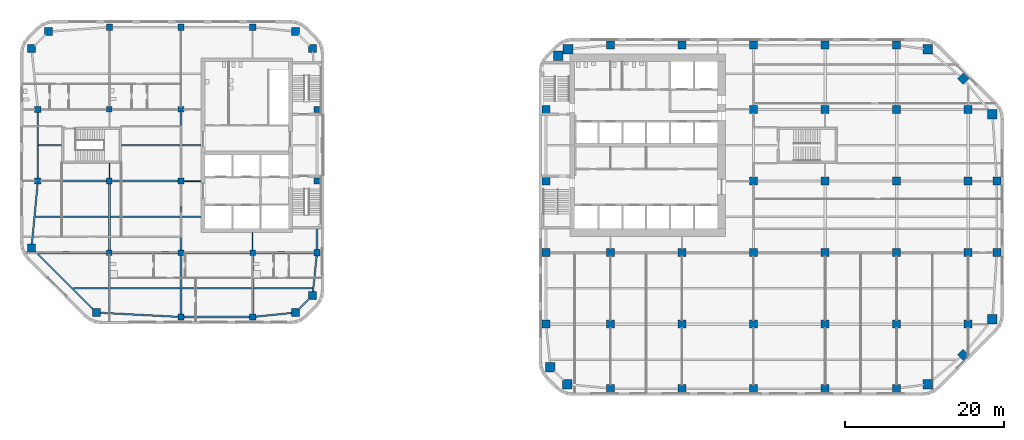
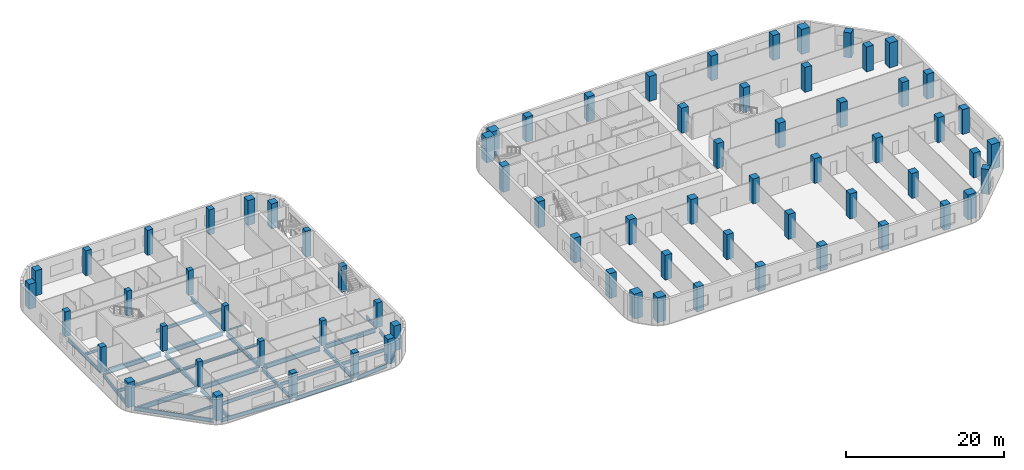
# One storey, part 1 of 15: 71 columns, 34 beams.
"""IFC4 building model written with IfcOpenShell, lengths in metres."""

import ifcopenshell
import ifcopenshell.guid

model = None  # the IFC model being written
_history = None  # IfcOwnerHistory: only IFC2X3 demands one
_inside = {}  # id of a spatial element -> (the spatial element, [elements in it])
_under = {}  # id of a project, library or spatial element -> (it, [spatial elements below it])
_declared = {}  # id of a project -> (the project, [libraries it declares])
_typed = {}  # id of a type object -> (the type object, [elements of that type])
_made_of = {}  # id of a material, layer set ... -> (it, [elements and type objects made of it])


def new_model(schema):
    """Start an empty IFC model of exactly this schema.

    Asked for "IFC4X3", IfcOpenShell would pick the latest addendum, in which some entities
    have other attributes; the version numbers below select the first issue.
    IFC2X3 requires an IfcOwnerHistory on every rooted entity: one is made here for all.
    """
    global model, _history
    if schema == "IFC4X3":
        model = ifcopenshell.file(schema_version=(4, 3, 0, 0))
    else:
        model = ifcopenshell.file(schema=schema)
    _inside.clear()
    _under.clear()
    _declared.clear()
    _typed.clear()
    _made_of.clear()
    _history = None
    if model.schema == "IFC2X3":
        org = make("IfcOrganization", Name="unknown")
        user = make(
            "IfcPersonAndOrganization",
            ThePerson=make("IfcPerson", FamilyName="unknown"),
            TheOrganization=org,
        )
        app = make(
            "IfcApplication",
            ApplicationDeveloper=org,
            Version="unknown",
            ApplicationFullName="unknown",
            ApplicationIdentifier="unknown",
        )
        _history = make(
            "IfcOwnerHistory",
            OwningUser=user,
            OwningApplication=app,
            ChangeAction="ADDED",
            CreationDate=0,
        )
    return model


def make(cls, **values):
    """One entity of the class cls with the attributes given. An attribute that is None is left unset."""
    return model.create_entity(
        cls, **{name: value for name, value in values.items() if value is not None}
    )


def rooted(cls, **values):
    """An entity with a GlobalId (a new one), such as an element, a storey or a relation."""
    return make(cls, GlobalId=ifcopenshell.guid.new(), OwnerHistory=_history, **values)


def si_unit(unit_type, name, prefix=None):
    """IfcSIUnit, for example si_unit("LENGTHUNIT", "METRE", prefix="MILLI")."""
    return make("IfcSIUnit", UnitType=unit_type, Prefix=prefix, Name=name)


def assignment(units):
    """IfcUnitAssignment: the units of a project."""
    return None if units is None else make("IfcUnitAssignment", Units=units)


def point(xyz):
    """IfcCartesianPoint."""
    return None if xyz is None else make("IfcCartesianPoint", Coordinates=xyz)


def direction(xyz):
    """IfcDirection."""
    return None if xyz is None else make("IfcDirection", DirectionRatios=xyz)


def frame(location, z_axis=None, x_axis=None):
    """IfcAxis2Placement3D, a coordinate frame: its origin and axes. An axis left out is left unset."""
    return make(
        "IfcAxis2Placement3D",
        Location=point(location),
        Axis=direction(z_axis),
        RefDirection=direction(x_axis),
    )


def frame_2d(location, x_axis=None):
    """IfcAxis2Placement2D, a coordinate frame in the plane: its origin and x axis."""
    return make(
        "IfcAxis2Placement2D", Location=point(location), RefDirection=direction(x_axis)
    )


def origin():
    """The frame at (0, 0, 0) with its axes left unset."""
    return frame((0.0, 0.0, 0.0))


def origin_2d():
    """The frame at (0, 0) in the plane with its x axis left unset."""
    return frame_2d((0.0, 0.0))


def place(relative_to, where):
    """IfcLocalPlacement: puts the frame where relative to a parent placement (None: the world)."""
    return make(
        "IfcLocalPlacement", PlacementRelTo=relative_to, RelativePlacement=where
    )


def context(
    kind, dimensions, precision=None, world=None, true_north=None, identifier=None
):
    """IfcGeometricRepresentationContext, for example the 3D "Model" context."""
    return make(
        "IfcGeometricRepresentationContext",
        ContextIdentifier=identifier,
        ContextType=kind,
        CoordinateSpaceDimension=dimensions,
        Precision=precision,
        WorldCoordinateSystem=world,
        TrueNorth=true_north,
    )


def subcontext(parent, identifier, kind, view, scale=None):
    """IfcGeometricRepresentationSubContext, for example "Body" below "Model"."""
    return make(
        "IfcGeometricRepresentationSubContext",
        ContextIdentifier=identifier,
        ContextType=kind,
        ParentContext=parent,
        TargetScale=scale,
        TargetView=view,
    )


def project(units=None, contexts=None):
    """IfcProject with its units and contexts."""
    return rooted(
        "IfcProject",
        Name="project",
        RepresentationContexts=contexts,
        UnitsInContext=assignment(units),
    )


def spatial(cls, under=None, at=None, **own):
    """A site, building, storey or space (cls), placed at a placement, below another one or the project."""
    s = rooted(cls, ObjectPlacement=at, **own)
    if under is not None:
        _under.setdefault(under.id(), (under, []))[1].append(s)
    return s


def profile(cls, at=None, kind="AREA", **sizes):
    """A parametric profile (cls). Its sizes go by their IFC names, for example OverallWidth=200.0."""
    return make(cls, ProfileType=kind, Position=at, **sizes)


def rectangle(**sizes):
    """IfcRectangleProfileDef."""
    return profile("IfcRectangleProfileDef", **sizes)


def i_section(**sizes):
    """IfcIShapeProfileDef."""
    return profile("IfcIShapeProfileDef", **sizes)


def extrude(swept, where, along, depth):
    """IfcExtrudedAreaSolid: the profile swept, set in the frame where, extruded along a direction by depth."""
    return make(
        "IfcExtrudedAreaSolid",
        SweptArea=swept,
        Position=where,
        ExtrudedDirection=direction(along),
        Depth=depth,
    )


def shape(context_of_items, identifier, shape_type, items):
    """IfcShapeRepresentation: the items that make up one representation, for example the "Body"."""
    return make(
        "IfcShapeRepresentation",
        ContextOfItems=context_of_items,
        RepresentationIdentifier=identifier,
        RepresentationType=shape_type,
        Items=items,
    )


def material(Name=None, Category=None):
    """IfcMaterial."""
    return make("IfcMaterial", Name=Name, Category=Category)


def material_profile(
    of_material, cross_section, Name=None, Category=None, Priority=None
):
    """IfcMaterialProfile: a cross section and its material."""
    return make(
        "IfcMaterialProfile",
        Name=Name,
        Material=of_material,
        Profile=cross_section,
        Priority=Priority,
        Category=Category,
    )


def profile_set(profiles, Name=None, composite=None):
    """IfcMaterialProfileSet."""
    return make(
        "IfcMaterialProfileSet",
        Name=Name,
        MaterialProfiles=profiles,
        CompositeProfile=composite,
    )


def made_of(thing, what):
    """Note that an element or type object is made of a material, layer set ...; save() writes the relation."""
    if what is not None:
        _made_of.setdefault(what.id(), (what, []))[1].append(thing)
    return thing


def type_object(cls, material=None, **own):
    """A type object (cls), such as IfcWallType, which elements share."""
    return made_of(rooted(cls, **own), material)


def element(
    cls,
    number,
    at=None,
    inside=None,
    cuts=None,
    type_object=None,
    material=None,
    context=None,
    identifier="Body",
    shape_type=None,
    held_by="IfcProductDefinitionShape",
    body=None,
    shapes=None,
    **own,
):
    """One element of the class cls, such as IfcWall. Its Tag is "e" and its number.

    at: its placement. inside: the storey or other place that contains it. cuts: it is an
    opening in that element (IfcRelVoidsElement). A single representation is given by context,
    identifier, shape_type and body (its items); several are given by shapes. held_by: the class
    of the entity that holds the representations. save() writes the other relations.
    """
    e = rooted(cls, Tag="e%d" % number, ObjectPlacement=at, **own)
    if body is not None:
        shapes = [shape(context, identifier, shape_type, body)]
    if shapes is not None:
        e.Representation = make(held_by, Representations=shapes)
    if inside is not None:
        _inside.setdefault(inside.id(), (inside, []))[1].append(e)
    if cuts is not None:
        rooted(
            "IfcRelVoidsElement", RelatingBuildingElement=cuts, RelatedOpeningElement=e
        )
    if type_object is not None:
        _typed.setdefault(type_object.id(), (type_object, []))[1].append(e)
    return made_of(e, material)


def aggregate(whole, parts):
    """IfcRelAggregates: a whole, such as a stair, and the parts it consists of."""
    return rooted("IfcRelAggregates", RelatingObject=whole, RelatedObjects=parts)


def save(model, path):
    """Write the relations noted so far, then the file.

    IfcRelAggregates (storeys below a building ...), IfcRelContainedInSpatialStructure (elements
    in a storey), IfcRelDefinesByType, IfcRelAssociatesMaterial and IfcRelDeclares: one each for
    every whole, place, type object, material and project.
    """
    for whole, parts in _under.values():
        aggregate(whole, parts)
    for where, things in _inside.values():
        rooted(
            "IfcRelContainedInSpatialStructure",
            RelatedElements=things,
            RelatingStructure=where,
        )
    for kind, things in _typed.values():
        rooted("IfcRelDefinesByType", RelatedObjects=things, RelatingType=kind)
    for what, things in _made_of.values():
        rooted("IfcRelAssociatesMaterial", RelatedObjects=things, RelatingMaterial=what)
    for by, libraries in _declared.values():
        rooted("IfcRelDeclares", RelatingContext=by, RelatedDefinitions=libraries)
    model.write(path)


model = new_model("IFC4")

# Units and contexts
model_context = context("Model", 3, precision=1e-05, world=origin(), true_north=direction((0.0, 1.0)))
body_context = subcontext(model_context, "Body", "Model", "MODEL_VIEW")
ifc_project = project(units=[si_unit("LENGTHUNIT", "METRE"), si_unit("AREAUNIT", "SQUARE_METRE"), si_unit("VOLUMEUNIT", "CUBIC_METRE"), si_unit("PLANEANGLEUNIT", "RADIAN"), si_unit("MASSUNIT", "GRAM", prefix="KILO")], contexts=[model_context])

# Site, building, storey
site_placement = place(None, origin())
site = spatial("IfcSite", under=ifc_project, at=site_placement, CompositionType="ELEMENT")
building_placement = place(site_placement, origin())
building = spatial("IfcBuilding", under=site, at=building_placement, Name="Cinnabar Reach Civic Tower", CompositionType="ELEMENT")
storey_placement = place(building_placement, frame((0.0, 0.0, 59.0)))
storey = spatial("IfcBuildingStorey", under=building, at=storey_placement, Name="L13", CompositionType="ELEMENT", Elevation=59.0)

# Columns
ifc_material_1 = material(Name="Concrete C70", Category="concrete")
ifc_material_profile_1 = material_profile(ifc_material_1, rectangle(XDim=1.0, YDim=1.0, at=origin_2d()), Name="RC1000")
ifc_profile_set_1 = profile_set([ifc_material_profile_1], Name="Concrete C70")
column_type_1 = type_object("IfcColumnType", Name="RC1000 column R 180", PredefinedType="COLUMN", material=ifc_profile_set_1)
for number, where, z_axis, x_axis, name in (
    (1, (-55.6481, 10.4531, 0.0), (0.0, 0.0, 1.0), (1.0, 0.0, 0.0), "Column T2-Z2-CC0"),
    (2, (-30.6019, 10.4531, 0.0), (0.0, 0.0, 1.0), (1.0, 0.0, 0.0), "Column T2-Z2-CC1"),
    (3, (-28.4531, 12.6019, 0.0), (0.0, 0.0, 1.0), (1.0, 0.0, 0.0), "Column T2-Z2-CC2"),
    (4, (-28.4531, 43.6481, 0.0), (0.0, 0.0, 1.0), (1.0, 0.0, 0.0), "Column T2-Z2-CC3"),
    (5, (-30.6019, 45.7969, 0.0), (0.0, 0.0, 1.0), (1.0, 0.0, 0.0), "Column T2-Z2-CC4"),
    (6, (-61.6481, 45.7969, 0.0), (0.0, 0.0, 1.0), (1.0, 0.0, 0.0), "Column T2-Z2-CC5"),
    (7, (-63.7969, 43.6481, 0.0), (0.0, 0.0, 1.0), (1.0, 0.0, 0.0), "Column T2-Z2-CC6"),
    (8, (-63.7969, 18.6019, 0.0), (0.0, 0.0, 1.0), (1.0, 0.0, 0.0), "Column T2-Z2-CC7"),
):
    element("IfcColumn", number, at=place(storey_placement, frame(where, z_axis=z_axis, x_axis=x_axis)), inside=storey, type_object=column_type_1, Name=name, PredefinedType="COLUMN", context=body_context, shape_type="SweptSolid", body=[
        extrude(rectangle(XDim=1.0, YDim=1.0, at=origin_2d()), origin(), (0.0, 0.0, 1.0), 3.85),
    ])
ifc_material_profile_2 = material_profile(ifc_material_1, rectangle(XDim=1.0, YDim=1.0, at=origin_2d()), Name="RC1000")
ifc_profile_set_2 = profile_set([ifc_material_profile_2], Name="Concrete C70")
column_type_2 = type_object("IfcColumnType", Name="RC1000 column R 240", PredefinedType="COLUMN", material=ifc_profile_set_2)
for number, where, z_axis, x_axis, name in (
    (9, (9.0, 0.9, 0.0), (0.0, 0.0, 1.0), (1.0, 0.0, 0.0), "Column T1-Z1-F0-1"),
    (10, (18.0, 0.9, 0.0), (0.0, 0.0, 1.0), (1.0, 0.0, 0.0), "Column T1-Z1-F0-2"),
    (11, (27.0, 0.9, 0.0), (0.0, 0.0, 1.0), (1.0, 0.0, 0.0), "Column T1-Z1-F0-3"),
    (12, (36.0, 0.9, 0.0), (0.0, 0.0, 1.0), (1.0, 0.0, 0.0), "Column T1-Z1-F0-4"),
    (13, (45.0, 0.9, 0.0), (0.0, 0.0, 1.0), (1.0, 0.0, 0.0), "Column T1-Z1-F0-5"),
    (14, (53.3636, 5.1364, 0.0), (0.0, 0.0, 1.0), (0.707106781187, 0.707106781187, 0.0), "Column T1-Z1-F1-M"),
    (15, (57.6, 18.0, 0.0), (0.0, 0.0, 1.0), (1.0, 0.0, 0.0), "Column T1-Z1-F2-2"),
    (16, (57.6, 27.0, 0.0), (0.0, 0.0, 1.0), (1.0, 0.0, 0.0), "Column T1-Z1-F2-3"),
    (17, (53.3636, 39.8636, 0.0), (0.0, 0.0, 1.0), (0.707106781187, 0.707106781187, 0.0), "Column T1-Z1-F3-M"),
    (18, (9.0, 44.1, 0.0), (0.0, 0.0, 1.0), (1.0, 0.0, 0.0), "Column T1-Z1-F4-1"),
    (19, (18.0, 44.1, 0.0), (0.0, 0.0, 1.0), (1.0, 0.0, 0.0), "Column T1-Z1-F4-2"),
    (20, (27.0, 44.1, 0.0), (0.0, 0.0, 1.0), (1.0, 0.0, 0.0), "Column T1-Z1-F4-3"),
    (21, (36.0, 44.1, 0.0), (0.0, 0.0, 1.0), (1.0, 0.0, 0.0), "Column T1-Z1-F4-4"),
    (22, (45.0, 44.1, 0.0), (0.0, 0.0, 1.0), (1.0, 0.0, 0.0), "Column T1-Z1-F4-5"),
    (23, (0.9, 9.0, 0.0), (0.0, 0.0, 1.0), (1.0, 0.0, 0.0), "Column T1-Z1-F6-1"),
    (24, (0.9, 18.0, 0.0), (0.0, 0.0, 1.0), (1.0, 0.0, 0.0), "Column T1-Z1-F6-2"),
):
    element("IfcColumn", number, at=place(storey_placement, frame(where, z_axis=z_axis, x_axis=x_axis)), inside=storey, type_object=column_type_2, Name=name, PredefinedType="COLUMN", context=body_context, shape_type="SweptSolid", body=[
        extrude(rectangle(XDim=1.0, YDim=1.0, at=origin_2d()), origin(), (0.0, 0.0, 1.0), 3.85),
    ])
for number, where, z_axis, x_axis, name in (
    (25, (0.9, 27.0, 0.0), (0.0, 0.0, 1.0), (1.0, 0.0, 0.0), "Column T1-Z1-F6-3"),
    (26, (0.9, 36.0, 0.0), (0.0, 0.0, 1.0), (1.0, 0.0, 0.0), "Column T1-Z1-F6-4"),
):
    element("IfcColumn", number, at=place(storey_placement, frame(where, z_axis=z_axis, x_axis=x_axis)), inside=storey, type_object=column_type_2, Name=name, PredefinedType="COLUMN", context=body_context, shape_type="SweptSolid", body=[
        extrude(rectangle(XDim=1.0, YDim=1.0, at=origin_2d()), origin(), (0.0, 0.0, 1.0), 4.0),
    ])
for number, where, z_axis, x_axis, name in (
    (27, (9.0, 9.0, 0.0), (0.0, 0.0, 1.0), (1.0, 0.0, 0.0), "Column T1-Z1-I9_9"),
    (28, (9.0, 18.0, 0.0), (0.0, 0.0, 1.0), (1.0, 0.0, 0.0), "Column T1-Z1-I9_18"),
    (29, (18.0, 9.0, 0.0), (0.0, 0.0, 1.0), (1.0, 0.0, 0.0), "Column T1-Z1-I18_9"),
    (30, (18.0, 18.0, 0.0), (0.0, 0.0, 1.0), (1.0, 0.0, 0.0), "Column T1-Z1-I18_18"),
    (31, (27.0, 9.0, 0.0), (0.0, 0.0, 1.0), (1.0, 0.0, 0.0), "Column T1-Z1-I27_9"),
    (32, (27.0, 18.0, 0.0), (0.0, 0.0, 1.0), (1.0, 0.0, 0.0), "Column T1-Z1-I27_18"),
    (33, (27.0, 27.0, 0.0), (0.0, 0.0, 1.0), (1.0, 0.0, 0.0), "Column T1-Z1-I27_27"),
    (34, (27.0, 36.0, 0.0), (0.0, 0.0, 1.0), (1.0, 0.0, 0.0), "Column T1-Z1-I27_36"),
    (35, (36.0, 9.0, 0.0), (0.0, 0.0, 1.0), (1.0, 0.0, 0.0), "Column T1-Z1-I36_9"),
    (36, (36.0, 18.0, 0.0), (0.0, 0.0, 1.0), (1.0, 0.0, 0.0), "Column T1-Z1-I36_18"),
    (37, (36.0, 27.0, 0.0), (0.0, 0.0, 1.0), (1.0, 0.0, 0.0), "Column T1-Z1-I36_27"),
    (38, (36.0, 36.0, 0.0), (0.0, 0.0, 1.0), (1.0, 0.0, 0.0), "Column T1-Z1-I36_36"),
    (39, (45.0, 9.0, 0.0), (0.0, 0.0, 1.0), (1.0, 0.0, 0.0), "Column T1-Z1-I45_9"),
    (40, (45.0, 18.0, 0.0), (0.0, 0.0, 1.0), (1.0, 0.0, 0.0), "Column T1-Z1-I45_18"),
    (41, (45.0, 27.0, 0.0), (0.0, 0.0, 1.0), (1.0, 0.0, 0.0), "Column T1-Z1-I45_27"),
    (42, (45.0, 36.0, 0.0), (0.0, 0.0, 1.0), (1.0, 0.0, 0.0), "Column T1-Z1-I45_36"),
    (43, (54.0, 9.0, 0.0), (0.0, 0.0, 1.0), (1.0, 0.0, 0.0), "Column T1-Z1-I54_9"),
    (44, (54.0, 18.0, 0.0), (0.0, 0.0, 1.0), (1.0, 0.0, 0.0), "Column T1-Z1-I54_18"),
    (45, (54.0, 27.0, 0.0), (0.0, 0.0, 1.0), (1.0, 0.0, 0.0), "Column T1-Z1-I54_27"),
    (46, (54.0, 36.0, 0.0), (0.0, 0.0, 1.0), (1.0, 0.0, 0.0), "Column T1-Z1-I54_36"),
):
    element("IfcColumn", number, at=place(storey_placement, frame(where, z_axis=z_axis, x_axis=x_axis)), inside=storey, type_object=column_type_2, Name=name, PredefinedType="COLUMN", context=body_context, shape_type="SweptSolid", body=[
        extrude(rectangle(XDim=1.0, YDim=1.0, at=origin_2d()), origin(), (0.0, 0.0, 1.0), 3.85),
    ])
ifc_material_2 = material(Name="Concrete C80", Category="concrete")
ifc_material_profile_3 = material_profile(ifc_material_2, rectangle(XDim=1.2, YDim=1.2, at=origin_2d()), Name="RC1200")
ifc_profile_set_3 = profile_set([ifc_material_profile_3], Name="Concrete C80")
column_type_3 = type_object("IfcColumnType", Name="RC1200 column R 240", PredefinedType="COLUMN", material=ifc_profile_set_3)
for number, where, z_axis, x_axis, name in (
    (47, (3.6019, 1.4531, 0.0), (0.0, 0.0, 1.0), (1.0, 0.0, 0.0), "Column T1-Z1-CC0"),
    (48, (48.8981, 1.4531, 0.0), (0.0, 0.0, 1.0), (1.0, 0.0, 0.0), "Column T1-Z1-CC1"),
    (49, (57.0469, 9.6019, 0.0), (0.0, 0.0, 1.0), (1.0, 0.0, 0.0), "Column T1-Z1-CC2"),
    (50, (57.0469, 35.3981, 0.0), (0.0, 0.0, 1.0), (1.0, 0.0, 0.0), "Column T1-Z1-CC3"),
    (51, (48.8981, 43.5469, 0.0), (0.0, 0.0, 1.0), (1.0, 0.0, 0.0), "Column T1-Z1-CC4"),
    (52, (3.6666, 43.5737, 0.0), (0.0, 0.0, 1.0), (1.0, 0.0, 0.0), "Column T1-Z1-CC5"),
    (53, (2.4631, 42.75, 0.0), (0.0, 0.0, 1.0), (1.0, 0.0, 0.0), "Column T1-Z1-CC6"),
    (54, (1.4531, 3.6019, 0.0), (0.0, 0.0, 1.0), (1.0, 0.0, 0.0), "Column T1-Z1-CC7"),
):
    element("IfcColumn", number, at=place(storey_placement, frame(where, z_axis=z_axis, x_axis=x_axis)), inside=storey, type_object=column_type_3, Name=name, PredefinedType="COLUMN", context=body_context, shape_type="SweptSolid", body=[
        extrude(rectangle(XDim=1.2, YDim=1.2, at=origin_2d()), origin(), (0.0, 0.0, 1.0), 3.85),
    ])
ifc_material_3 = material(Name="Concrete C60", Category="concrete")
ifc_material_profile_4 = material_profile(ifc_material_3, rectangle(XDim=0.7, YDim=0.7, at=origin_2d()), Name="RC700")
ifc_profile_set_4 = profile_set([ifc_material_profile_4], Name="Concrete C60")
column_type_4 = type_object("IfcColumnType", Name="RC700 column R 180", PredefinedType="COLUMN", material=ifc_profile_set_4)
for number, where, z_axis, x_axis, name in (
    (55, (-54.0, 18.0, 0.0), (0.0, 0.0, 1.0), (1.0, 0.0, 0.0), "Column T2-Z2-I-54_18"),
    (56, (-54.0, 27.0, 0.0), (0.0, 0.0, 1.0), (1.0, 0.0, 0.0), "Column T2-Z2-I-54_27"),
    (57, (-54.0, 36.0, 0.0), (0.0, 0.0, 1.0), (1.0, 0.0, 0.0), "Column T2-Z2-I-54_36"),
    (58, (-45.0, 18.0, 0.0), (0.0, 0.0, 1.0), (1.0, 0.0, 0.0), "Column T2-Z2-I-45_18"),
    (59, (-45.0, 27.0, 0.0), (0.0, 0.0, 1.0), (1.0, 0.0, 0.0), "Column T2-Z2-I-45_27"),
    (60, (-45.0, 36.0, 0.0), (0.0, 0.0, 1.0), (1.0, 0.0, 0.0), "Column T2-Z2-I-45_36"),
    (61, (-36.0, 18.0, 0.0), (0.0, 0.0, 1.0), (1.0, 0.0, 0.0), "Column T2-Z2-I-36_18"),
):
    element("IfcColumn", number, at=place(storey_placement, frame(where, z_axis=z_axis, x_axis=x_axis)), inside=storey, type_object=column_type_4, Name=name, PredefinedType="COLUMN", context=body_context, shape_type="SweptSolid", body=[
        extrude(rectangle(XDim=0.7, YDim=0.7, at=origin_2d()), origin(), (0.0, 0.0, 1.0), 3.85),
    ])
ifc_material_profile_5 = material_profile(ifc_material_3, rectangle(XDim=0.8, YDim=0.8, at=origin_2d()), Name="RC800")
ifc_profile_set_5 = profile_set([ifc_material_profile_5], Name="Concrete C60")
column_type_5 = type_object("IfcColumnType", Name="RC800 column R 180", PredefinedType="COLUMN", material=ifc_profile_set_5)
for number, where, z_axis, x_axis, name in (
    (62, (-45.0, 9.9, 0.0), (0.0, 0.0, 1.0), (1.0, 0.0, 0.0), "Column T2-Z2-F0--5"),
    (63, (-36.0, 9.9, 0.0), (0.0, 0.0, 1.0), (1.0, 0.0, 0.0), "Column T2-Z2-F0--4"),
    (64, (-27.9, 18.0, 0.0), (0.0, 0.0, 1.0), (1.0, 0.0, 0.0), "Column T2-Z2-F2-2"),
):
    element("IfcColumn", number, at=place(storey_placement, frame(where, z_axis=z_axis, x_axis=x_axis)), inside=storey, type_object=column_type_5, Name=name, PredefinedType="COLUMN", context=body_context, shape_type="SweptSolid", body=[
        extrude(rectangle(XDim=0.8, YDim=0.8, at=origin_2d()), origin(), (0.0, 0.0, 1.0), 3.85),
    ])
for number, where, z_axis, x_axis, name in (
    (65, (-27.9, 27.0, 0.0), (0.0, 0.0, 1.0), (1.0, 0.0, 0.0), "Column T2-Z2-F2-3"),
    (66, (-27.9, 36.0, 0.0), (0.0, 0.0, 1.0), (1.0, 0.0, 0.0), "Column T2-Z2-F2-4"),
):
    element("IfcColumn", number, at=place(storey_placement, frame(where, z_axis=z_axis, x_axis=x_axis)), inside=storey, type_object=column_type_5, Name=name, PredefinedType="COLUMN", context=body_context, shape_type="SweptSolid", body=[
        extrude(rectangle(XDim=0.8, YDim=0.8, at=origin_2d()), origin(), (0.0, 0.0, 1.0), 4.0),
    ])
for number, where, z_axis, x_axis, name in (
    (67, (-54.0, 46.35, 0.0), (0.0, 0.0, 1.0), (1.0, 0.0, 0.0), "Column T2-Z2-F4--6"),
    (68, (-45.0, 46.35, 0.0), (0.0, 0.0, 1.0), (1.0, 0.0, 0.0), "Column T2-Z2-F4--5"),
    (69, (-36.0, 46.35, 0.0), (0.0, 0.0, 1.0), (1.0, 0.0, 0.0), "Column T2-Z2-F4--4"),
    (70, (-63.0, 27.0, 0.0), (0.0, 0.0, 1.0), (1.0, 0.0, 0.0), "Column T2-Z2-F6-3"),
    (71, (-63.0, 36.0, 0.0), (0.0, 0.0, 1.0), (1.0, 0.0, 0.0), "Column T2-Z2-F6-4"),
):
    element("IfcColumn", number, at=place(storey_placement, frame(where, z_axis=z_axis, x_axis=x_axis)), inside=storey, type_object=column_type_5, Name=name, PredefinedType="COLUMN", context=body_context, shape_type="SweptSolid", body=[
        extrude(rectangle(XDim=0.8, YDim=0.8, at=origin_2d()), origin(), (0.0, 0.0, 1.0), 3.85),
    ])

# Beams
ifc_material_4 = material(Name="Steel Q355B", Category="steel")
ifc_material_profile_6 = material_profile(ifc_material_4, i_section(OverallWidth=0.302, OverallDepth=0.594, WebThickness=0.014, FlangeThickness=0.023, FilletRadius=0.016, at=origin_2d()), Name="HM594x302x14x23")
ifc_profile_set_6 = profile_set([ifc_material_profile_6], Name="Steel Q355B")
beam_type_1 = type_object("IfcBeamType", Name="HM594x302x14x23 beam R 120", PredefinedType="BEAM", material=ifc_profile_set_6)
beam_1_placement = place(storey_placement, frame((-54.0, 10.4696, -0.447), z_axis=(0.0, 1.0, 0.0), x_axis=(-1.0, 0.0, 0.0)))
element("IfcBeam", 72, at=beam_1_placement, inside=storey, type_object=beam_type_1, Name="Girder T2 L13 1", PredefinedType="BEAM", context=body_context, shape_type="SweptSolid", body=[
    extrude(i_section(OverallWidth=0.302, OverallDepth=0.594, WebThickness=0.014, FlangeThickness=0.023, FilletRadius=0.016, at=origin_2d()), origin(), (0.0, 0.0, 1.0), 7.1784),
])
beam_2_placement = place(storey_placement, frame((-54.0, 18.352, -0.447), z_axis=(0.0, 1.0, 0.0), x_axis=(-1.0, 0.0, 0.0)))
element("IfcBeam", 73, at=beam_2_placement, inside=storey, type_object=beam_type_1, Name="Girder T2 L13 2", PredefinedType="BEAM", context=body_context, shape_type="SweptSolid", body=[
    extrude(i_section(OverallWidth=0.302, OverallDepth=0.594, WebThickness=0.014, FlangeThickness=0.023, FilletRadius=0.016, at=origin_2d()), origin(), (0.0, 0.0, 1.0), 8.296),
])
beam_3_placement = place(storey_placement, frame((-45.0, 10.302, -0.447), z_axis=(0.0, 1.0, 0.0), x_axis=(-1.0, 0.0, 0.0)))
element("IfcBeam", 74, at=beam_3_placement, inside=storey, type_object=beam_type_1, Name="Girder T2 L13 6", PredefinedType="BEAM", context=body_context, shape_type="SweptSolid", body=[
    extrude(i_section(OverallWidth=0.302, OverallDepth=0.594, WebThickness=0.014, FlangeThickness=0.023, FilletRadius=0.016, at=origin_2d()), origin(), (0.0, 0.0, 1.0), 7.346),
])
for number, where, z_axis, x_axis, name in (
    (75, (-45.0, 18.352, -0.447), (0.0, 1.0, 0.0), (-1.0, 0.0, 0.0), "Girder T2 L13 7"),
    (76, (-45.0, 27.352, -0.447), (0.0, 1.0, 0.0), (-1.0, 0.0, 0.0), "Girder T2 L13 8"),
):
    element("IfcBeam", number, at=place(storey_placement, frame(where, z_axis=z_axis, x_axis=x_axis)), inside=storey, type_object=beam_type_1, Name=name, PredefinedType="BEAM", context=body_context, shape_type="SweptSolid", body=[
        extrude(i_section(OverallWidth=0.302, OverallDepth=0.594, WebThickness=0.014, FlangeThickness=0.023, FilletRadius=0.016, at=origin_2d()), origin(), (0.0, 0.0, 1.0), 8.296),
    ])
beam_4_placement = place(storey_placement, frame((-36.0, 10.302, -0.447), z_axis=(0.0, 1.0, 0.0), x_axis=(-1.0, 0.0, 0.0)))
element("IfcBeam", 77, at=beam_4_placement, inside=storey, type_object=beam_type_1, Name="Girder T2 L13 10", PredefinedType="BEAM", context=body_context, shape_type="SweptSolid", body=[
    extrude(i_section(OverallWidth=0.302, OverallDepth=0.594, WebThickness=0.014, FlangeThickness=0.023, FilletRadius=0.016, at=origin_2d()), origin(), (0.0, 0.0, 1.0), 7.346),
])
ifc_material_profile_7 = material_profile(ifc_material_4, i_section(OverallWidth=0.099, OverallDepth=0.198, WebThickness=0.0045, FlangeThickness=0.007, FilletRadius=0.013, at=origin_2d()), Name="HN200x100x5.5x8")
ifc_profile_set_7 = profile_set([ifc_material_profile_7], Name="Steel Q355B")
beam_type_2 = type_object("IfcBeamType", Name="HN200x100x5.5x8 beam R 120", PredefinedType="BEAM", material=ifc_profile_set_7)
beam_5_placement = place(storey_placement, frame((-54.0, 27.352, -0.249), z_axis=(0.0, 1.0, 0.0), x_axis=(-1.0, 0.0, 0.0)))
element("IfcBeam", 78, at=beam_5_placement, inside=storey, type_object=beam_type_2, Name="Girder T2 L13 3", PredefinedType="BEAM", context=body_context, shape_type="SweptSolid", body=[
    extrude(i_section(OverallWidth=0.099, OverallDepth=0.198, WebThickness=0.0045, FlangeThickness=0.007, FilletRadius=0.013, at=origin_2d()), origin(), (0.0, 0.0, 1.0), 1.896),
])
beam_6_placement = place(storey_placement, frame((-36.0, 18.352, -0.249), z_axis=(0.0, 1.0, 0.0), x_axis=(-1.0, 0.0, 0.0)))
element("IfcBeam", 79, at=beam_6_placement, inside=storey, type_object=beam_type_2, Name="Girder T2 L13 11", PredefinedType="BEAM", context=body_context, shape_type="SweptSolid", body=[
    extrude(i_section(OverallWidth=0.099, OverallDepth=0.198, WebThickness=0.0045, FlangeThickness=0.007, FilletRadius=0.013, at=origin_2d()), origin(), (0.0, 0.0, 1.0), 2.146),
])
ifc_material_profile_8 = material_profile(ifc_material_4, i_section(OverallWidth=0.124, OverallDepth=0.248, WebThickness=0.005, FlangeThickness=0.008, FilletRadius=0.013, at=origin_2d()), Name="HN250x125x6x9")
ifc_profile_set_8 = profile_set([ifc_material_profile_8], Name="Steel Q355B")
beam_type_3 = type_object("IfcBeamType", Name="HN250x125x6x9 beam R 120", PredefinedType="BEAM", material=ifc_profile_set_8)
beam_7_placement = place(storey_placement, frame((-44.648, 27.0, -0.274), z_axis=(1.0, 0.0, 0.0), x_axis=(0.0, 1.0, 0.0)))
element("IfcBeam", 80, at=beam_7_placement, inside=storey, type_object=beam_type_3, Name="Girder T2 L13 7", PredefinedType="BEAM", context=body_context, shape_type="SweptSolid", body=[
    extrude(i_section(OverallWidth=0.124, OverallDepth=0.248, WebThickness=0.005, FlangeThickness=0.008, FilletRadius=0.013, at=origin_2d()), origin(), (0.0, 0.0, 1.0), 2.146),
])
ifc_material_profile_9 = material_profile(ifc_material_4, i_section(OverallWidth=0.199, OverallDepth=0.396, WebThickness=0.007, FlangeThickness=0.011, FilletRadius=0.013, at=origin_2d()), Name="HN396x199x7x11")
ifc_profile_set_9 = profile_set([ifc_material_profile_9], Name="Steel Q355B")
beam_type_4 = type_object("IfcBeamType", Name="HN396x199x7x11 beam R 120", PredefinedType="BEAM", material=ifc_profile_set_9)
beam_8_placement = place(storey_placement, frame((-58.5508, 13.5, -0.348), z_axis=(1.0, 0.0, 0.0), x_axis=(0.0, 1.0, 0.0)))
element("IfcBeam", 81, at=beam_8_placement, inside=storey, type_object=beam_type_4, Name="Secondary beam T2 L13 1", PredefinedType="BEAM", context=body_context, shape_type="SweptSolid", body=[
    extrude(i_section(OverallWidth=0.199, OverallDepth=0.396, WebThickness=0.007, FlangeThickness=0.011, FilletRadius=0.013, at=origin_2d()), origin(), (0.0, 0.0, 1.0), 4.3978),
])
beam_9_placement = place(storey_placement, frame((-44.847, 22.5, -0.348), z_axis=(1.0, 0.0, 0.0), x_axis=(0.0, 1.0, 0.0)))
element("IfcBeam", 82, at=beam_9_placement, inside=storey, type_object=beam_type_4, Name="Secondary beam T2 L13 7", PredefinedType="BEAM", context=body_context, shape_type="SweptSolid", body=[
    extrude(i_section(OverallWidth=0.199, OverallDepth=0.396, WebThickness=0.007, FlangeThickness=0.011, FilletRadius=0.013, at=origin_2d()), origin(), (0.0, 0.0, 1.0), 2.345),
])
beam_10_placement = place(storey_placement, frame((-62.898, 31.5, -0.348), z_axis=(1.0, 0.0, 0.0), x_axis=(0.0, 1.0, 0.0)))
element("IfcBeam", 83, at=beam_10_placement, inside=storey, type_object=beam_type_4, Name="Secondary beam T2 L13 8", PredefinedType="BEAM", context=body_context, shape_type="SweptSolid", body=[
    extrude(i_section(OverallWidth=0.199, OverallDepth=0.396, WebThickness=0.007, FlangeThickness=0.011, FilletRadius=0.013, at=origin_2d()), origin(), (0.0, 0.0, 1.0), 2.896),
])
beam_11_placement = place(storey_placement, frame((-44.847, 31.5, -0.348), z_axis=(1.0, 0.0, 0.0), x_axis=(0.0, 1.0, 0.0)))
element("IfcBeam", 84, at=beam_11_placement, inside=storey, type_object=beam_type_4, Name="Secondary beam T2 L13 10", PredefinedType="BEAM", context=body_context, shape_type="SweptSolid", body=[
    extrude(i_section(OverallWidth=0.199, OverallDepth=0.396, WebThickness=0.007, FlangeThickness=0.011, FilletRadius=0.013, at=origin_2d()), origin(), (0.0, 0.0, 1.0), 2.345),
])
ifc_material_profile_10 = material_profile(ifc_material_4, i_section(OverallWidth=0.199, OverallDepth=0.496, WebThickness=0.009, FlangeThickness=0.014, FilletRadius=0.016, at=origin_2d()), Name="HN496x199x9x14")
ifc_profile_set_10 = profile_set([ifc_material_profile_10], Name="Steel Q355B")
beam_type_5 = type_object("IfcBeamType", Name="HN496x199x9x14 beam R 120", PredefinedType="BEAM", material=ifc_profile_set_10)
for number, where, z_axis, x_axis, name in (
    (85, (-53.847, 13.5, -0.398), (1.0, 0.0, 0.0), (0.0, 1.0, 0.0), "Secondary beam T2 L13 2"),
    (86, (-44.847, 13.5, -0.398), (1.0, 0.0, 0.0), (0.0, 1.0, 0.0), "Secondary beam T2 L13 3"),
):
    element("IfcBeam", number, at=place(storey_placement, frame(where, z_axis=z_axis, x_axis=x_axis)), inside=storey, type_object=beam_type_5, Name=name, PredefinedType="BEAM", context=body_context, shape_type="SweptSolid", body=[
        extrude(i_section(OverallWidth=0.199, OverallDepth=0.496, WebThickness=0.009, FlangeThickness=0.014, FilletRadius=0.016, at=origin_2d()), origin(), (0.0, 0.0, 1.0), 8.694),
    ])
beam_12_placement = place(storey_placement, frame((-35.847, 13.5, -0.398), z_axis=(1.0, 0.0, 0.0), x_axis=(0.0, 1.0, 0.0)))
element("IfcBeam", 87, at=beam_12_placement, inside=storey, type_object=beam_type_5, Name="Secondary beam T2 L13 4", PredefinedType="BEAM", context=body_context, shape_type="SweptSolid", body=[
    extrude(i_section(OverallWidth=0.199, OverallDepth=0.496, WebThickness=0.009, FlangeThickness=0.014, FilletRadius=0.016, at=origin_2d()), origin(), (0.0, 0.0, 1.0), 7.3834),
])
beam_13_placement = place(storey_placement, frame((-63.3245, 22.5, -0.398), z_axis=(1.0, 0.0, 0.0), x_axis=(0.0, 1.0, 0.0)))
element("IfcBeam", 88, at=beam_13_placement, inside=storey, type_object=beam_type_5, Name="Secondary beam T2 L13 5", PredefinedType="BEAM", context=body_context, shape_type="SweptSolid", body=[
    extrude(i_section(OverallWidth=0.199, OverallDepth=0.496, WebThickness=0.009, FlangeThickness=0.014, FilletRadius=0.016, at=origin_2d()), origin(), (0.0, 0.0, 1.0), 9.1715),
])
beam_14_placement = place(storey_placement, frame((-53.847, 22.5, -0.398), z_axis=(1.0, 0.0, 0.0), x_axis=(0.0, 1.0, 0.0)))
element("IfcBeam", 89, at=beam_14_placement, inside=storey, type_object=beam_type_5, Name="Secondary beam T2 L13 6", PredefinedType="BEAM", context=body_context, shape_type="SweptSolid", body=[
    extrude(i_section(OverallWidth=0.199, OverallDepth=0.496, WebThickness=0.009, FlangeThickness=0.014, FilletRadius=0.016, at=origin_2d()), origin(), (0.0, 0.0, 1.0), 8.694),
])
beam_15_placement = place(storey_placement, frame((-52.498, 31.5, -0.398), z_axis=(1.0, 0.0, 0.0), x_axis=(0.0, 1.0, 0.0)))
element("IfcBeam", 90, at=beam_15_placement, inside=storey, type_object=beam_type_5, Name="Secondary beam T2 L13 9", PredefinedType="BEAM", context=body_context, shape_type="SweptSolid", body=[
    extrude(i_section(OverallWidth=0.199, OverallDepth=0.496, WebThickness=0.009, FlangeThickness=0.014, FilletRadius=0.016, at=origin_2d()), origin(), (0.0, 0.0, 1.0), 7.345),
])
ifc_material_profile_11 = material_profile(ifc_material_4, i_section(OverallWidth=0.2, OverallDepth=0.6, WebThickness=0.011, FlangeThickness=0.017, FilletRadius=0.016, at=origin_2d()), Name="HN600x200x11x17")
ifc_profile_set_11 = profile_set([ifc_material_profile_11], Name="Steel Q355B")
beam_type_6 = type_object("IfcBeamType", Name="HN600x200x11x17 beam R 120", PredefinedType="BEAM", material=ifc_profile_set_11)
beam_16_placement = place(storey_placement, frame((-55.2661, 10.4333, -0.45), z_axis=(0.998653533726, -0.051876001934, 0.0), x_axis=(0.051876001934, 0.998653533726, 0.0)))
element("IfcBeam", 91, at=beam_16_placement, inside=storey, type_object=beam_type_6, Name="Edge beam T2 L13 1", PredefinedType="BEAM", context=body_context, shape_type="SweptSolid", body=[
    extrude(i_section(OverallWidth=0.2, OverallDepth=0.6, WebThickness=0.011, FlangeThickness=0.017, FilletRadius=0.016, at=origin_2d()), origin(), (0.0, 0.0, 1.0), 9.8774),
])
beam_17_placement = place(storey_placement, frame((-44.598, 9.9, -0.45), z_axis=(1.0, 0.0, 0.0), x_axis=(0.0, 1.0, 0.0)))
element("IfcBeam", 92, at=beam_17_placement, inside=storey, type_object=beam_type_6, Name="Edge beam T2 L13 2", PredefinedType="BEAM", context=body_context, shape_type="SweptSolid", body=[
    extrude(i_section(OverallWidth=0.2, OverallDepth=0.6, WebThickness=0.011, FlangeThickness=0.017, FilletRadius=0.016, at=origin_2d()), origin(), (0.0, 0.0, 1.0), 8.196),
])
beam_18_placement = place(storey_placement, frame((-35.598, 9.9412, -0.45), z_axis=(0.994791084875, 0.101934770579, 0.0), x_axis=(-0.101934770579, 0.994791084875, 0.0)))
element("IfcBeam", 93, at=beam_18_placement, inside=storey, type_object=beam_type_6, Name="Edge beam T2 L13 3", PredefinedType="BEAM", context=body_context, shape_type="SweptSolid", body=[
    extrude(i_section(OverallWidth=0.2, OverallDepth=0.6, WebThickness=0.011, FlangeThickness=0.017, FilletRadius=0.016, at=origin_2d()), origin(), (0.0, 0.0, 1.0), 4.6383),
])
beam_19_placement = place(storey_placement, frame((-30.2199, 10.8351, -0.45), z_axis=(0.707106781187, 0.707106781187, 0.0), x_axis=(-0.707106781187, 0.707106781187, 0.0)))
element("IfcBeam", 94, at=beam_19_placement, inside=storey, type_object=beam_type_6, Name="Edge beam T2 L13 4", PredefinedType="BEAM", context=body_context, shape_type="SweptSolid", body=[
    extrude(i_section(OverallWidth=0.2, OverallDepth=0.6, WebThickness=0.011, FlangeThickness=0.017, FilletRadius=0.016, at=origin_2d()), origin(), (0.0, 0.0, 1.0), 1.9584),
])
beam_20_placement = place(storey_placement, frame((-28.414, 12.9839, -0.45), z_axis=(0.101934770579, 0.994791084875, 0.0), x_axis=(-0.994791084875, 0.101934770579, 0.0)))
element("IfcBeam", 95, at=beam_20_placement, inside=storey, type_object=beam_type_6, Name="Edge beam T2 L13 5", PredefinedType="BEAM", context=body_context, shape_type="SweptSolid", body=[
    extrude(i_section(OverallWidth=0.2, OverallDepth=0.6, WebThickness=0.011, FlangeThickness=0.017, FilletRadius=0.016, at=origin_2d()), origin(), (0.0, 0.0, 1.0), 4.6383),
])
beam_21_placement = place(storey_placement, frame((-27.9, 18.402, -0.45), z_axis=(0.0, 1.0, 0.0), x_axis=(-1.0, 0.0, 0.0)))
element("IfcBeam", 96, at=beam_21_placement, inside=storey, type_object=beam_type_6, Name="Edge beam T2 L13 6", PredefinedType="BEAM", context=body_context, shape_type="SweptSolid", body=[
    extrude(i_section(OverallWidth=0.2, OverallDepth=0.6, WebThickness=0.011, FlangeThickness=0.017, FilletRadius=0.016, at=origin_2d()), origin(), (0.0, 0.0, 1.0), 2.596),
])
beam_22_placement = place(storey_placement, frame((-63.0, 35.598, -0.45), z_axis=(0.0, -1.0, 0.0), x_axis=(1.0, 0.0, 0.0)))
element("IfcBeam", 97, at=beam_22_placement, inside=storey, type_object=beam_type_6, Name="Edge beam T2 L13 16", PredefinedType="BEAM", context=body_context, shape_type="SweptSolid", body=[
    extrude(i_section(OverallWidth=0.2, OverallDepth=0.6, WebThickness=0.011, FlangeThickness=0.017, FilletRadius=0.016, at=origin_2d()), origin(), (0.0, 0.0, 1.0), 8.196),
])
beam_23_placement = place(storey_placement, frame((-63.0381, 26.598, -0.45), z_axis=(-0.094478368886, -0.99552691466, 0.0), x_axis=(0.99552691466, -0.094478368886, 0.0)))
element("IfcBeam", 98, at=beam_23_placement, inside=storey, type_object=beam_type_6, Name="Edge beam T2 L13 17", PredefinedType="BEAM", context=body_context, shape_type="SweptSolid", body=[
    extrude(i_section(OverallWidth=0.2, OverallDepth=0.6, WebThickness=0.011, FlangeThickness=0.017, FilletRadius=0.016, at=origin_2d()), origin(), (0.0, 0.0, 1.0), 7.6483),
])
beam_24_placement = place(storey_placement, frame((-63.4149, 18.2199, -0.45), z_axis=(0.707106781187, -0.707106781187, 0.0), x_axis=(0.707106781187, 0.707106781187, 0.0)))
element("IfcBeam", 99, at=beam_24_placement, inside=storey, type_object=beam_type_6, Name="Edge beam T2 L13 18", PredefinedType="BEAM", context=body_context, shape_type="SweptSolid", body=[
    extrude(i_section(OverallWidth=0.2, OverallDepth=0.6, WebThickness=0.011, FlangeThickness=0.017, FilletRadius=0.016, at=origin_2d()), origin(), (0.0, 0.0, 1.0), 10.4437),
])
ifc_material_profile_12 = material_profile(ifc_material_4, i_section(OverallWidth=0.3, OverallDepth=0.692, WebThickness=0.013, FlangeThickness=0.02, FilletRadius=0.016, at=origin_2d()), Name="HN692x300x13x20")
ifc_profile_set_12 = profile_set([ifc_material_profile_12], Name="Steel Q355B")
beam_type_7 = type_object("IfcBeamType", Name="HN692x300x13x20 beam R 120", PredefinedType="BEAM", material=ifc_profile_set_12)
beam_25_placement = place(storey_placement, frame((-63.0508, 18.0, -0.496), z_axis=(1.0, 0.0, 0.0), x_axis=(0.0, 1.0, 0.0)))
element("IfcBeam", 100, at=beam_25_placement, inside=storey, type_object=beam_type_7, Name="Girder T2 L13 1", PredefinedType="BEAM", context=body_context, shape_type="SweptSolid", body=[
    extrude(i_section(OverallWidth=0.3, OverallDepth=0.692, WebThickness=0.013, FlangeThickness=0.02, FilletRadius=0.016, at=origin_2d()), origin(), (0.0, 0.0, 1.0), 8.6988),
])
for number, where, z_axis, x_axis, name in (
    (101, (-53.648, 18.0, -0.496), (1.0, 0.0, 0.0), (0.0, 1.0, 0.0), "Girder T2 L13 2"),
    (102, (-44.648, 18.0, -0.496), (1.0, 0.0, 0.0), (0.0, 1.0, 0.0), "Girder T2 L13 3"),
):
    element("IfcBeam", number, at=place(storey_placement, frame(where, z_axis=z_axis, x_axis=x_axis)), inside=storey, type_object=beam_type_7, Name=name, PredefinedType="BEAM", context=body_context, shape_type="SweptSolid", body=[
        extrude(i_section(OverallWidth=0.3, OverallDepth=0.692, WebThickness=0.013, FlangeThickness=0.02, FilletRadius=0.016, at=origin_2d()), origin(), (0.0, 0.0, 1.0), 8.296),
    ])
beam_26_placement = place(storey_placement, frame((-35.648, 18.0, -0.496), z_axis=(1.0, 0.0, 0.0), x_axis=(0.0, 1.0, 0.0)))
element("IfcBeam", 103, at=beam_26_placement, inside=storey, type_object=beam_type_7, Name="Girder T2 L13 4", PredefinedType="BEAM", context=body_context, shape_type="SweptSolid", body=[
    extrude(i_section(OverallWidth=0.3, OverallDepth=0.692, WebThickness=0.013, FlangeThickness=0.02, FilletRadius=0.016, at=origin_2d()), origin(), (0.0, 0.0, 1.0), 7.346),
])
beam_27_placement = place(storey_placement, frame((-62.598, 27.0, -0.496), z_axis=(1.0, 0.0, 0.0), x_axis=(0.0, 1.0, 0.0)))
element("IfcBeam", 104, at=beam_27_placement, inside=storey, type_object=beam_type_7, Name="Girder T2 L13 5", PredefinedType="BEAM", context=body_context, shape_type="SweptSolid", body=[
    extrude(i_section(OverallWidth=0.3, OverallDepth=0.692, WebThickness=0.013, FlangeThickness=0.02, FilletRadius=0.016, at=origin_2d()), origin(), (0.0, 0.0, 1.0), 8.246),
])
beam_28_placement = place(storey_placement, frame((-53.648, 27.0, -0.496), z_axis=(1.0, 0.0, 0.0), x_axis=(0.0, 1.0, 0.0)))
element("IfcBeam", 105, at=beam_28_placement, inside=storey, type_object=beam_type_7, Name="Girder T2 L13 6", PredefinedType="BEAM", context=body_context, shape_type="SweptSolid", body=[
    extrude(i_section(OverallWidth=0.3, OverallDepth=0.692, WebThickness=0.013, FlangeThickness=0.02, FilletRadius=0.016, at=origin_2d()), origin(), (0.0, 0.0, 1.0), 8.296),
])

save(model, "model.ifc")
